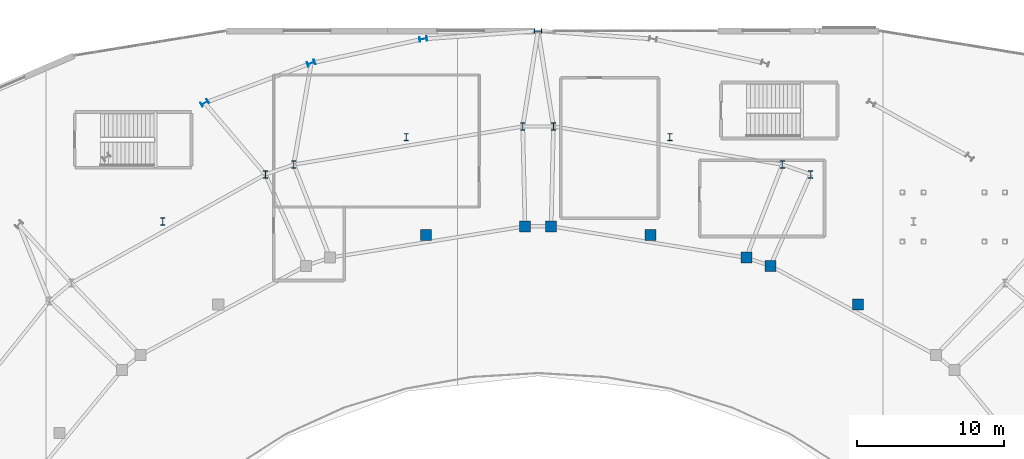
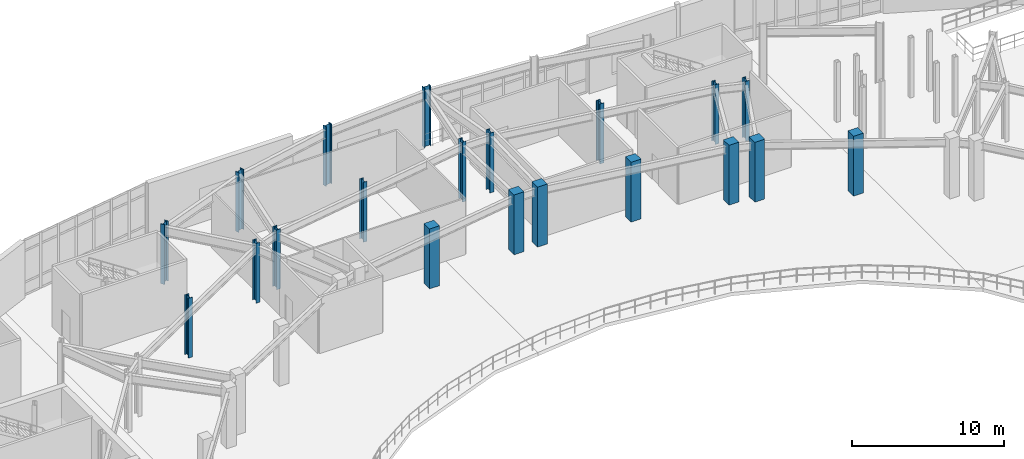
# One storey, part 15 of 86: 20 columns.
"""IFC4 building model written with IfcOpenShell, lengths in metres."""

from ifc_helpers import new_model, si_unit, direction, frame, origin, origin_2d, place, context, subcontext, project, spatial, rectangle, i_section, extrude, material, material_profile, profile_set, type_object, element, save


model = new_model("IFC4")

# Units and contexts
model_context = context("Model", 3, precision=1e-05, world=origin(), true_north=direction((0.0, 1.0)))
body_context = subcontext(model_context, "Body", "Model", "MODEL_VIEW")
ifc_project = project(units=[si_unit("LENGTHUNIT", "METRE"), si_unit("AREAUNIT", "SQUARE_METRE"), si_unit("VOLUMEUNIT", "CUBIC_METRE"), si_unit("PLANEANGLEUNIT", "RADIAN"), si_unit("MASSUNIT", "GRAM", prefix="KILO")], contexts=[model_context])

# Site, building, storey
site_placement = place(None, origin())
site = spatial("IfcSite", under=ifc_project, at=site_placement, CompositionType="ELEMENT")
building_placement = place(site_placement, origin())
building = spatial("IfcBuilding", under=site, at=building_placement, Name="Glasvene Arena", CompositionType="ELEMENT")
storey_placement = place(building_placement, frame((0.0, 0.0, 5.39990234375)))
storey = spatial("IfcBuildingStorey", under=building, at=storey_placement, Name="L01", CompositionType="ELEMENT", Elevation=5.39990234375)

# Columns
ifc_material_1 = material(Name="Concrete C40/50", Category="concrete")
ifc_material_profile_1 = material_profile(ifc_material_1, rectangle(XDim=0.75, YDim=0.75, at=origin_2d()), Name="RC 750x750")
ifc_profile_set_1 = profile_set([ifc_material_profile_1], Name="Concrete C40/50")
column_type_1 = type_object("IfcColumnType", Name="COL-MID-RC750", PredefinedType="COLUMN", material=ifc_profile_set_1)
for number, where, z_axis, x_axis, name in (
    (1, (107.819091796875, 102.004150390625, 0.0), (0.0, 0.0, 1.0), (1.0, 0.0, 0.0), "Mid-bowl fulcrum column L01 03-2"),
    (2, (106.17578125, 102.5546875, 0.0), (0.0, 0.0, 1.0), (1.0, 0.0, 0.0), "Mid-bowl fulcrum column L01 04-1"),
    (3, (92.889404296875, 104.69189453125, 0.0), (0.0, 0.0, 1.0), (1.0, 0.0, 0.0), "Mid-bowl fulcrum column L01 04-2"),
    (4, (91.110595703125, 104.69189453125, 0.0), (0.0, 0.0, 1.0), (1.0, 0.0, 0.0), "Mid-bowl fulcrum column L01 05-1"),
    (5, (113.7783203125, 99.357666015625, 0.0), (0.0, 0.0, 1.0), (1.0, 0.0, 0.0), "Mid-sector fulcrum column L01 03"),
    (6, (99.6474609375, 104.0908203125, 0.0), (0.0, 0.0, 1.0), (1.0, 0.0, 0.0), "Mid-sector fulcrum column L01 04"),
    (7, (84.3525390625, 104.0908203125, 0.0), (0.0, 0.0, 1.0), (1.0, 0.0, 0.0), "Mid-sector fulcrum column L01 05"),
):
    element("IfcColumn", number, at=place(storey_placement, frame(where, z_axis=z_axis, x_axis=x_axis)), inside=storey, type_object=column_type_1, Name=name, PredefinedType="COLUMN", context=body_context, shape_type="SweptSolid", body=[
        extrude(rectangle(XDim=0.75, YDim=0.75, at=origin_2d()), origin(), (0.0, 0.0, 1.0), 4.800048828125),
    ])
ifc_material_2 = material(Name="Steel S355J2", Category="steel")
ifc_material_profile_2 = material_profile(ifc_material_2, i_section(OverallWidth=0.305908203125, OverallDepth=0.52392578125, WebThickness=0.02099609375, FlangeThickness=0.0400390625, FilletRadius=0.027099609375, at=origin_2d()), Name="HEM 500")
ifc_profile_set_2 = profile_set([ifc_material_profile_2], Name="Steel S355J2")
column_type_2 = type_object("IfcColumnType", Name="COL-RING-HEM500", PredefinedType="COLUMN", material=ifc_profile_set_2)
for number, where, z_axis, x_axis, name in (
    (8, (92.0, 118.0, 0.0), (0.0, 0.0, 1.0), (0.0, 1.0, 0.0), "Bowl ring column R11 L01"),
    (9, (84.17822265625, 117.446044921875, 0.0), (0.0, 0.0, 1.0), (-0.173304404339, 0.984868307662, 0.0), "Bowl ring column R12 L01"),
    (10, (76.54931640625, 115.797607421875, 0.0), (0.0, 0.0, 1.0), (-0.339558864524, 0.94058480613, 0.0), "Bowl ring column R13 L01"),
    (11, (69.300537109375, 113.09521484375, 0.0), (0.0, 0.0, 1.0), (-0.492727341548, 0.87018375467, 0.0), "Bowl ring column R14 L01"),
):
    element("IfcColumn", number, at=place(storey_placement, frame(where, z_axis=z_axis, x_axis=x_axis)), inside=storey, type_object=column_type_2, Name=name, PredefinedType="COLUMN", context=body_context, shape_type="SweptSolid", body=[
        extrude(i_section(OverallWidth=0.305908203125, OverallDepth=0.52392578125, WebThickness=0.02099609375, FlangeThickness=0.0400390625, FilletRadius=0.027099609375, at=origin_2d()), origin(), (0.0, 0.0, 1.0), 4.800048828125),
    ])
ifc_material_profile_3 = material_profile(ifc_material_2, i_section(OverallWidth=0.300048828125, OverallDepth=0.5, WebThickness=0.014404296875, FlangeThickness=0.028076171875, FilletRadius=0.027099609375, at=origin_2d()), Name="HEB 500")
ifc_profile_set_3 = profile_set([ifc_material_profile_3], Name="Steel S355J2")
column_type_3 = type_object("IfcColumnType", Name="COL-W-HEB500", PredefinedType="COLUMN", material=ifc_profile_set_3)
for number, where, z_axis, x_axis, name in (
    (12, (110.56298828125, 108.225830078125, 0.0), (0.0, 0.0, 1.0), (1.0, 0.0, 0.0), "Upper raker rear column L01 03-2"),
    (13, (108.634765625, 108.89453125, 0.0), (0.0, 0.0, 1.0), (1.0, 0.0, 0.0), "Upper raker rear column L01 04-1"),
    (14, (93.043701171875, 111.489990234375, 0.0), (0.0, 0.0, 1.0), (1.0, 0.0, 0.0), "Upper raker rear column L01 04-2"),
    (15, (90.956298828125, 111.489990234375, 0.0), (0.0, 0.0, 1.0), (1.0, 0.0, 0.0), "Upper raker rear column L01 05-1"),
    (16, (75.365234375, 108.89453125, 0.0), (0.0, 0.0, 1.0), (1.0, 0.0, 0.0), "Upper raker rear column L01 05-2"),
    (17, (73.43701171875, 108.225830078125, 0.0), (0.0, 0.0, 1.0), (1.0, 0.0, 0.0), "Upper raker rear column L01 06-1"),
    (18, (100.97412109375, 110.76025390625, 0.0), (0.0, 0.0, 1.0), (1.0, 0.0, 0.0), "Mid-sector rear raker column L01 04"),
    (19, (83.02587890625, 110.76025390625, 0.0), (0.0, 0.0, 1.0), (1.0, 0.0, 0.0), "Mid-sector rear raker column L01 05"),
    (20, (66.44384765625, 105.01171875, 0.0), (0.0, 0.0, 1.0), (1.0, 0.0, 0.0), "Mid-sector rear raker column L01 06"),
):
    element("IfcColumn", number, at=place(storey_placement, frame(where, z_axis=z_axis, x_axis=x_axis)), inside=storey, type_object=column_type_3, Name=name, PredefinedType="COLUMN", context=body_context, shape_type="SweptSolid", body=[
        extrude(i_section(OverallWidth=0.300048828125, OverallDepth=0.5, WebThickness=0.014404296875, FlangeThickness=0.028076171875, FilletRadius=0.027099609375, at=origin_2d()), origin(), (0.0, 0.0, 1.0), 4.800048828125),
    ])

save(model, "model.ifc")
